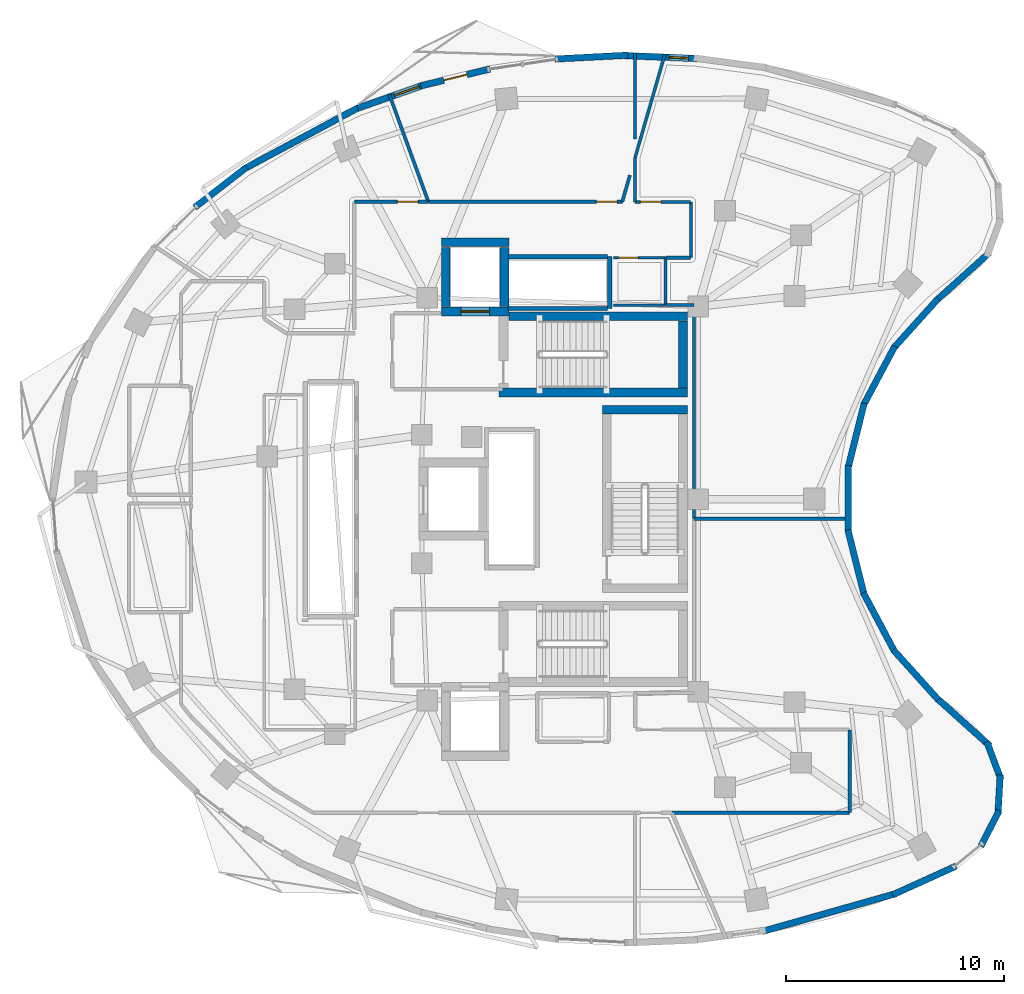
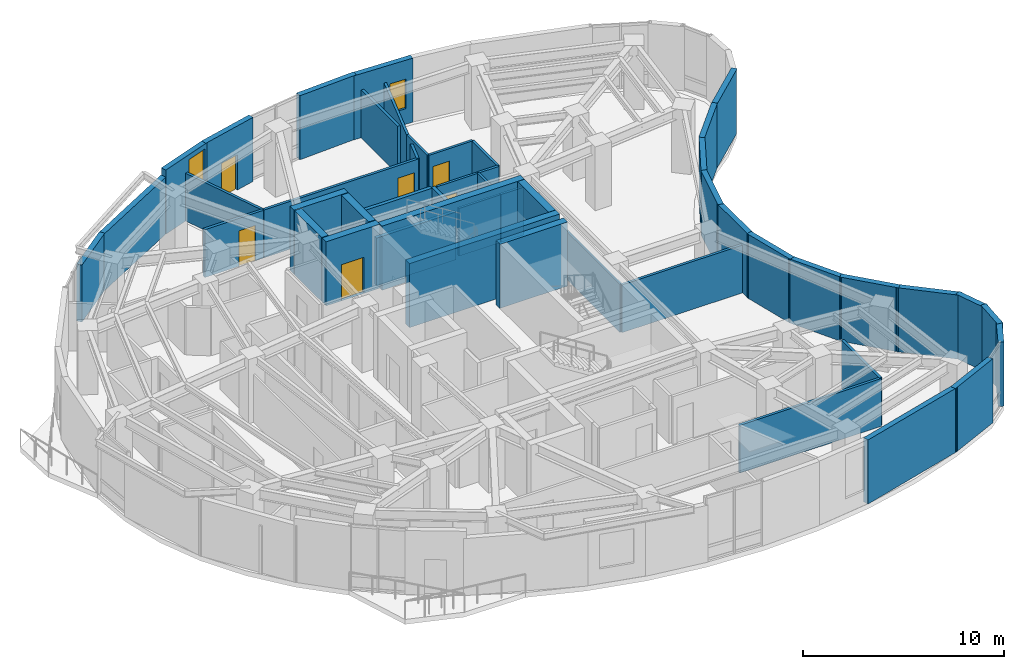
# One storey, part 9 of 13: 49 walls, 6 doors, 2 windows, 8 openings.
"""IFC4 building model written with IfcOpenShell, lengths in metres."""

import ifcopenshell
import ifcopenshell.guid

model = None  # the IFC model being written
_history = None  # IfcOwnerHistory: only IFC2X3 demands one
_inside = {}  # id of a spatial element -> (the spatial element, [elements in it])
_under = {}  # id of a project, library or spatial element -> (it, [spatial elements below it])
_declared = {}  # id of a project -> (the project, [libraries it declares])
_typed = {}  # id of a type object -> (the type object, [elements of that type])
_made_of = {}  # id of a material, layer set ... -> (it, [elements and type objects made of it])


def new_model(schema):
    """Start an empty IFC model of exactly this schema.

    Asked for "IFC4X3", IfcOpenShell would pick the latest addendum, in which some entities
    have other attributes; the version numbers below select the first issue.
    IFC2X3 requires an IfcOwnerHistory on every rooted entity: one is made here for all.
    """
    global model, _history
    if schema == "IFC4X3":
        model = ifcopenshell.file(schema_version=(4, 3, 0, 0))
    else:
        model = ifcopenshell.file(schema=schema)
    _inside.clear()
    _under.clear()
    _declared.clear()
    _typed.clear()
    _made_of.clear()
    _history = None
    if model.schema == "IFC2X3":
        org = make("IfcOrganization", Name="unknown")
        user = make(
            "IfcPersonAndOrganization",
            ThePerson=make("IfcPerson", FamilyName="unknown"),
            TheOrganization=org,
        )
        app = make(
            "IfcApplication",
            ApplicationDeveloper=org,
            Version="unknown",
            ApplicationFullName="unknown",
            ApplicationIdentifier="unknown",
        )
        _history = make(
            "IfcOwnerHistory",
            OwningUser=user,
            OwningApplication=app,
            ChangeAction="ADDED",
            CreationDate=0,
        )
    return model


def make(cls, **values):
    """One entity of the class cls with the attributes given. An attribute that is None is left unset."""
    return model.create_entity(
        cls, **{name: value for name, value in values.items() if value is not None}
    )


def rooted(cls, **values):
    """An entity with a GlobalId (a new one), such as an element, a storey or a relation."""
    return make(cls, GlobalId=ifcopenshell.guid.new(), OwnerHistory=_history, **values)


def si_unit(unit_type, name, prefix=None):
    """IfcSIUnit, for example si_unit("LENGTHUNIT", "METRE", prefix="MILLI")."""
    return make("IfcSIUnit", UnitType=unit_type, Prefix=prefix, Name=name)


def assignment(units):
    """IfcUnitAssignment: the units of a project."""
    return None if units is None else make("IfcUnitAssignment", Units=units)


def point(xyz):
    """IfcCartesianPoint."""
    return None if xyz is None else make("IfcCartesianPoint", Coordinates=xyz)


def direction(xyz):
    """IfcDirection."""
    return None if xyz is None else make("IfcDirection", DirectionRatios=xyz)


def frame(location, z_axis=None, x_axis=None):
    """IfcAxis2Placement3D, a coordinate frame: its origin and axes. An axis left out is left unset."""
    return make(
        "IfcAxis2Placement3D",
        Location=point(location),
        Axis=direction(z_axis),
        RefDirection=direction(x_axis),
    )


def frame_2d(location, x_axis=None):
    """IfcAxis2Placement2D, a coordinate frame in the plane: its origin and x axis."""
    return make(
        "IfcAxis2Placement2D", Location=point(location), RefDirection=direction(x_axis)
    )


def origin():
    """The frame at (0, 0, 0) with its axes left unset."""
    return frame((0.0, 0.0, 0.0))


def place(relative_to, where):
    """IfcLocalPlacement: puts the frame where relative to a parent placement (None: the world)."""
    return make(
        "IfcLocalPlacement", PlacementRelTo=relative_to, RelativePlacement=where
    )


def context(
    kind, dimensions, precision=None, world=None, true_north=None, identifier=None
):
    """IfcGeometricRepresentationContext, for example the 3D "Model" context."""
    return make(
        "IfcGeometricRepresentationContext",
        ContextIdentifier=identifier,
        ContextType=kind,
        CoordinateSpaceDimension=dimensions,
        Precision=precision,
        WorldCoordinateSystem=world,
        TrueNorth=true_north,
    )


def subcontext(parent, identifier, kind, view, scale=None):
    """IfcGeometricRepresentationSubContext, for example "Body" below "Model"."""
    return make(
        "IfcGeometricRepresentationSubContext",
        ContextIdentifier=identifier,
        ContextType=kind,
        ParentContext=parent,
        TargetScale=scale,
        TargetView=view,
    )


def project(units=None, contexts=None):
    """IfcProject with its units and contexts."""
    return rooted(
        "IfcProject",
        Name="project",
        RepresentationContexts=contexts,
        UnitsInContext=assignment(units),
    )


def spatial(cls, under=None, at=None, **own):
    """A site, building, storey or space (cls), placed at a placement, below another one or the project."""
    s = rooted(cls, ObjectPlacement=at, **own)
    if under is not None:
        _under.setdefault(under.id(), (under, []))[1].append(s)
    return s


def profile(cls, at=None, kind="AREA", **sizes):
    """A parametric profile (cls). Its sizes go by their IFC names, for example OverallWidth=200.0."""
    return make(cls, ProfileType=kind, Position=at, **sizes)


def rectangle(**sizes):
    """IfcRectangleProfileDef."""
    return profile("IfcRectangleProfileDef", **sizes)


def extrude(swept, where, along, depth):
    """IfcExtrudedAreaSolid: the profile swept, set in the frame where, extruded along a direction by depth."""
    return make(
        "IfcExtrudedAreaSolid",
        SweptArea=swept,
        Position=where,
        ExtrudedDirection=direction(along),
        Depth=depth,
    )


def shape(context_of_items, identifier, shape_type, items):
    """IfcShapeRepresentation: the items that make up one representation, for example the "Body"."""
    return make(
        "IfcShapeRepresentation",
        ContextOfItems=context_of_items,
        RepresentationIdentifier=identifier,
        RepresentationType=shape_type,
        Items=items,
    )


def material(Name=None, Category=None):
    """IfcMaterial."""
    return make("IfcMaterial", Name=Name, Category=Category)


def layer(
    of_material, thickness, ventilated=None, Name=None, Category=None, Priority=None
):
    """IfcMaterialLayer: one layer of a wall or slab, of a material (None: an air gap)."""
    return make(
        "IfcMaterialLayer",
        Material=of_material,
        LayerThickness=thickness,
        IsVentilated=ventilated,
        Name=Name,
        Category=Category,
        Priority=Priority,
    )


def layer_set(layers, Name=None):
    """IfcMaterialLayerSet."""
    return make("IfcMaterialLayerSet", MaterialLayers=layers, LayerSetName=Name)


def made_of(thing, what):
    """Note that an element or type object is made of a material, layer set ...; save() writes the relation."""
    if what is not None:
        _made_of.setdefault(what.id(), (what, []))[1].append(thing)
    return thing


def type_object(cls, material=None, **own):
    """A type object (cls), such as IfcWallType, which elements share."""
    return made_of(rooted(cls, **own), material)


def element(
    cls,
    number,
    at=None,
    inside=None,
    cuts=None,
    type_object=None,
    material=None,
    context=None,
    identifier="Body",
    shape_type=None,
    held_by="IfcProductDefinitionShape",
    body=None,
    shapes=None,
    **own,
):
    """One element of the class cls, such as IfcWall. Its Tag is "e" and its number.

    at: its placement. inside: the storey or other place that contains it. cuts: it is an
    opening in that element (IfcRelVoidsElement). A single representation is given by context,
    identifier, shape_type and body (its items); several are given by shapes. held_by: the class
    of the entity that holds the representations. save() writes the other relations.
    """
    e = rooted(cls, Tag="e%d" % number, ObjectPlacement=at, **own)
    if body is not None:
        shapes = [shape(context, identifier, shape_type, body)]
    if shapes is not None:
        e.Representation = make(held_by, Representations=shapes)
    if inside is not None:
        _inside.setdefault(inside.id(), (inside, []))[1].append(e)
    if cuts is not None:
        rooted(
            "IfcRelVoidsElement", RelatingBuildingElement=cuts, RelatedOpeningElement=e
        )
    if type_object is not None:
        _typed.setdefault(type_object.id(), (type_object, []))[1].append(e)
    return made_of(e, material)


def fill(opening, filler):
    """IfcRelFillsElement: the door or window that sits in an opening."""
    return rooted(
        "IfcRelFillsElement",
        RelatingOpeningElement=opening,
        RelatedBuildingElement=filler,
    )


def aggregate(whole, parts):
    """IfcRelAggregates: a whole, such as a stair, and the parts it consists of."""
    return rooted("IfcRelAggregates", RelatingObject=whole, RelatedObjects=parts)


def save(model, path):
    """Write the relations noted so far, then the file.

    IfcRelAggregates (storeys below a building ...), IfcRelContainedInSpatialStructure (elements
    in a storey), IfcRelDefinesByType, IfcRelAssociatesMaterial and IfcRelDeclares: one each for
    every whole, place, type object, material and project.
    """
    for whole, parts in _under.values():
        aggregate(whole, parts)
    for where, things in _inside.values():
        rooted(
            "IfcRelContainedInSpatialStructure",
            RelatedElements=things,
            RelatingStructure=where,
        )
    for kind, things in _typed.values():
        rooted("IfcRelDefinesByType", RelatedObjects=things, RelatingType=kind)
    for what, things in _made_of.values():
        rooted("IfcRelAssociatesMaterial", RelatedObjects=things, RelatingMaterial=what)
    for by, libraries in _declared.values():
        rooted("IfcRelDeclares", RelatingContext=by, RelatedDefinitions=libraries)
    model.write(path)


model = new_model("IFC4")

# Units and contexts
model_context = context("Model", 3, precision=1e-05, world=origin(), true_north=direction((0.0, 1.0)))
body_context = subcontext(model_context, "Body", "Model", "MODEL_VIEW")
ifc_project = project(units=[si_unit("LENGTHUNIT", "METRE"), si_unit("AREAUNIT", "SQUARE_METRE"), si_unit("VOLUMEUNIT", "CUBIC_METRE"), si_unit("PLANEANGLEUNIT", "RADIAN"), si_unit("MASSUNIT", "GRAM", prefix="KILO")], contexts=[model_context])

# Site, building, storey
site_placement = place(None, origin())
site = spatial("IfcSite", under=ifc_project, at=site_placement, CompositionType="ELEMENT")
building_placement = place(site_placement, origin())
building = spatial("IfcBuilding", under=site, at=building_placement, Name="Korentha Bioscience Tower", CompositionType="ELEMENT")
storey_placement = place(building_placement, frame((0.0, 0.0, 171.0)))
storey = spatial("IfcBuildingStorey", under=building, at=storey_placement, Name="L39", CompositionType="ELEMENT", Elevation=171.0)

# Wall, opening, door
ifc_material_1 = material(Name="Double-Stud Acoustic Gypsum", Category="gypsum")
ifc_layer_1 = layer(ifc_material_1, 0.14990234375, Name="Double-Stud Acoustic Gypsum")
ifc_layer_set_1 = layer_set([ifc_layer_1], Name="Double-Stud Acoustic Gypsum (IW-L150)")
wall_type_1 = type_object("IfcWallType", Name="Acoustic Laboratory Partition Wall 150", PredefinedType="PARTITIONING", material=ifc_layer_set_1)
wall_1_placement = place(storey_placement, frame((34.05908203125, 40.659912109375, 0.0), z_axis=(0.0, 0.0, 1.0), x_axis=(-1.0, 0.0, 0.0)))
wall_1 = element("IfcWall", 1, at=wall_1_placement, inside=storey, type_object=wall_type_1, Name="L39 Lyophilization Freeze-Drying Room 06 Entrance Wall", PredefinedType="PARTITIONING", context=body_context, shape_type="SweptSolid", body=[
    extrude(rectangle(XDim=8.908447265625, YDim=0.14990234375, at=frame_2d((4.4541015625, 0.0))), origin(), (0.0, 0.0, 1.0), 2.909912109375),
])
opening_1_placement = place(wall_1_placement, frame((0.239990234375, 0.0, 0.0)))
opening_1 = element("IfcOpeningElement", 2, at=opening_1_placement, cuts=wall_1, Name="Opening ID-10L", PredefinedType="OPENING", context=body_context, shape_type="SweptSolid", body=[
    extrude(rectangle(XDim=0.949951171875, YDim=2.14990234375, at=frame_2d((0.47509765625, 1.074951171875))), frame((0.0, 0.08984375, 0.0), z_axis=(0.0, -1.0, 0.0), x_axis=(1.0, 0.0, 0.0)), (0.0, 0.0, 1.0), 0.1796875),
])
ifc_material_2 = material(Name="Phenolic Laminate Timber Core", Category="wood")
door_type_1 = type_object("IfcDoorType", Name="Laboratory Single Leaf Door 950x2150 Left", OperationType="SINGLE_SWING_LEFT", PredefinedType="DOOR", material=ifc_material_2)
door_1_placement = place(opening_1_placement, origin())
door_1 = element("IfcDoor", 3, at=door_1_placement, inside=storey, type_object=door_type_1, Name="L39 Lyophilization Freeze-Drying Room 06 Door", OperationType="SINGLE_SWING_LEFT", OverallHeight=2.14990234375, OverallWidth=0.949951171875, PredefinedType="DOOR", context=body_context, shape_type="SweptSolid", body=[
    extrude(rectangle(XDim=0.949951171875, YDim=2.14990234375, at=frame_2d((0.47509765625, 1.074951171875))), frame((0.0, 0.02490234375, 0.0), z_axis=(0.0, -1.0, 0.0), x_axis=(1.0, 0.0, 0.0)), (0.0, 0.0, 1.0), 0.050048828125),
])
fill(opening_1, door_1)

# Walls
wall_2_placement = place(storey_placement, frame((36.348876953125, 12.590087890625, 0.0), z_axis=(0.0, 0.0, 1.0), x_axis=(1.0, 0.0, 0.0)))
element("IfcWall", 4, at=wall_2_placement, inside=storey, type_object=wall_type_1, Name="L39 Interior Partition 040", PredefinedType="PARTITIONING", context=body_context, shape_type="SweptSolid", body=[
    extrude(rectangle(XDim=8.151123046875, YDim=0.14990234375, at=frame_2d((4.07568359375, 0.0))), origin(), (0.0, 0.0, 1.0), 2.909912109375),
])
wall_3_placement = place(storey_placement, frame((44.510009765625, 12.60009765625, 0.0), z_axis=(0.0, 0.0, 1.0), x_axis=(0.0, 1.0, 0.0)))
element("IfcWall", 5, at=wall_3_placement, inside=storey, type_object=wall_type_1, Name="L39 Interior Partition 041", PredefinedType="PARTITIONING", context=body_context, shape_type="SweptSolid", body=[
    extrude(rectangle(XDim=3.7998046875, YDim=0.14990234375, at=frame_2d((1.89990234375, 0.0))), origin(), (0.0, 0.0, 1.0), 2.909912109375),
])
wall_4_placement = place(storey_placement, frame((37.360107421875, 26.097900390625, 0.0), z_axis=(0.0, 0.0, 1.0), x_axis=(1.0, 0.0, 0.0)))
element("IfcWall", 6, at=wall_4_placement, inside=storey, type_object=wall_type_1, Name="L39 Interior Partition 045", PredefinedType="PARTITIONING", context=body_context, shape_type="SweptSolid", body=[
    extrude(rectangle(XDim=7.17333984375, YDim=0.14990234375, at=frame_2d((3.586669921875, 0.0))), origin(), (0.0, 0.0, 1.0), 2.909912109375),
])
wall_5_placement = place(storey_placement, frame((34.64794921875, 47.494873046875, 0.0), z_axis=(0.0, 0.0, 1.0), x_axis=(0.0, -1.0, 0.0)))
element("IfcWall", 7, at=wall_5_placement, inside=storey, type_object=wall_type_1, Name="L39 Interior Partition 052", PredefinedType="PARTITIONING", context=body_context, shape_type="SweptSolid", body=[
    extrude(rectangle(XDim=3.942138671875, YDim=0.14990234375, at=frame_2d((1.97119140625, 0.0))), origin(), (0.0, 0.0, 1.0), 2.909912109375),
])
wall_6_placement = place(storey_placement, frame((34.412109375, 41.88330078125, 0.0), z_axis=(0.0, 0.0, 1.0), x_axis=(-0.277252558392, -0.960797074759, 0.0)))
element("IfcWall", 8, at=wall_6_placement, inside=storey, type_object=wall_type_1, Name="L39 Interior Partition 053", PredefinedType="PARTITIONING", context=body_context, shape_type="SweptSolid", body=[
    extrude(rectangle(XDim=1.273193359375, YDim=0.14990234375, at=frame_2d((0.63671875, 0.0))), origin(), (0.0, 0.0, 1.0), 2.909912109375),
])
wall_7_placement = place(storey_placement, frame((25.150634765625, 40.659912109375, 0.0), z_axis=(0.0, 0.0, 1.0), x_axis=(-0.341995928267, 0.939701433993, 0.0)))
element("IfcWall", 9, at=wall_7_placement, inside=storey, type_object=wall_type_1, Name="L39 Interior Partition 054", PredefinedType="PARTITIONING", context=body_context, shape_type="SweptSolid", body=[
    extrude(rectangle(XDim=5.271240234375, YDim=0.14990234375, at=frame_2d((2.6357421875, 0.0))), origin(), (0.0, 0.0, 1.0), 2.909912109375),
])

# Wall, opening, door
ifc_material_3 = material(Name="Insulated Aluminium Honeycomb Panel", Category="aluminium")
ifc_layer_2 = layer(ifc_material_3, 0.139892578125, Name="Insulated Aluminium Honeycomb Panel")
ifc_layer_set_2 = layer_set([ifc_layer_2], Name="Insulated Aluminium Honeycomb Panel (IW-F60)")
wall_type_2 = type_object("IfcWallType", Name="Cleanroom Flush Metal Panel Partition 140", PredefinedType="PARTITIONING", material=ifc_layer_set_2)
wall_8_placement = place(storey_placement, frame((37.199951171875, 40.659912109375, 0.0), z_axis=(0.0, 0.0, 1.0), x_axis=(-1.0, 0.0, 0.0)))
wall_8 = element("IfcWall", 10, at=wall_8_placement, inside=storey, type_object=wall_type_2, Name="L39 Vaccine Formulation Cleanroom 05 Entrance Wall", PredefinedType="PARTITIONING", context=body_context, shape_type="SweptSolid", body=[
    extrude(rectangle(XDim=2.5478515625, YDim=0.139892578125, at=frame_2d((1.27392578125, 0.0))), origin(), (0.0, 0.0, 1.0), 2.909912109375),
])
opening_2_placement = place(wall_8_placement, frame((1.35791015625, 0.0, 0.0)))
opening_2 = element("IfcOpeningElement", 11, at=opening_2_placement, cuts=wall_8, Name="Opening ID-10R", PredefinedType="OPENING", context=body_context, shape_type="SweptSolid", body=[
    extrude(rectangle(XDim=0.949951171875, YDim=2.14990234375, at=frame_2d((0.47509765625, 1.074951171875))), frame((0.0, 0.0849609375, 0.0), z_axis=(0.0, -1.0, 0.0), x_axis=(1.0, 0.0, 0.0)), (0.0, 0.0, 1.0), 0.169677734375),
])
door_type_2 = type_object("IfcDoorType", Name="Laboratory Single Leaf Door 950x2150 Right", OperationType="SINGLE_SWING_RIGHT", PredefinedType="DOOR", material=ifc_material_2)
door_2_placement = place(opening_2_placement, origin())
door_2 = element("IfcDoor", 12, at=door_2_placement, inside=storey, type_object=door_type_2, Name="L39 Vaccine Formulation Cleanroom 05 Door", OperationType="SINGLE_SWING_RIGHT", OverallHeight=2.14990234375, OverallWidth=0.949951171875, PredefinedType="DOOR", context=body_context, shape_type="SweptSolid", body=[
    extrude(rectangle(XDim=0.949951171875, YDim=2.14990234375, at=frame_2d((0.47509765625, 1.074951171875))), frame((0.0, 0.02490234375, 0.0), z_axis=(0.0, -1.0, 0.0), x_axis=(1.0, 0.0, 0.0)), (0.0, 0.0, 1.0), 0.050048828125),
])
fill(opening_2, door_2)

# Walls
wall_9_placement = place(storey_placement, frame((34.652099609375, 42.700927734375, 0.0), z_axis=(0.0, 0.0, 1.0), x_axis=(0.277202021351, 0.960811656548, 0.0)))
element("IfcWall", 13, at=wall_9_placement, inside=storey, type_object=wall_type_2, Name="L39 Interior Partition 046", PredefinedType="PARTITIONING", context=body_context, shape_type="SweptSolid", body=[
    extrude(rectangle(XDim=4.924072265625, YDim=0.139892578125, at=frame_2d((2.4619140625, 0.0))), origin(), (0.0, 0.0, 1.0), 2.909912109375),
])
wall_10_placement = place(storey_placement, frame((37.360107421875, 26.10791015625, 0.0), z_axis=(0.0, 0.0, 1.0), x_axis=(0.0, 1.0, 0.0)))
element("IfcWall", 14, at=wall_10_placement, inside=storey, type_object=wall_type_2, Name="L39 Interior Partition 047", PredefinedType="PARTITIONING", context=body_context, shape_type="SweptSolid", body=[
    extrude(rectangle(XDim=9.7919921875, YDim=0.139892578125, at=frame_2d((4.89599609375, 0.0))), origin(), (0.0, 0.0, 1.0), 2.909912109375),
])
wall_11_placement = place(storey_placement, frame((37.35009765625, 35.909912109375, 0.0), z_axis=(0.0, 0.0, 1.0), x_axis=(-1.0, 0.0, 0.0)))
element("IfcWall", 15, at=wall_11_placement, inside=storey, type_object=wall_type_2, Name="L39 Interior Partition 048", PredefinedType="PARTITIONING", context=body_context, shape_type="SweptSolid", body=[
    extrude(rectangle(XDim=1.2900390625, YDim=0.139892578125, at=frame_2d((0.64501953125, 0.0))), origin(), (0.0, 0.0, 1.0), 2.909912109375),
])
wall_12_placement = place(storey_placement, frame((36.06005859375, 38.090087890625, 0.0), z_axis=(0.0, 0.0, 1.0), x_axis=(1.0, 0.0, 0.0)))
element("IfcWall", 16, at=wall_12_placement, inside=storey, type_object=wall_type_2, Name="L39 Interior Partition 049", PredefinedType="PARTITIONING", context=body_context, shape_type="SweptSolid", body=[
    extrude(rectangle(XDim=1.139892578125, YDim=0.139892578125, at=frame_2d((0.56982421875, 0.0))), origin(), (0.0, 0.0, 1.0), 2.909912109375),
])
wall_13_placement = place(storey_placement, frame((37.2099609375, 38.10009765625, 0.0), z_axis=(0.0, 0.0, 1.0), x_axis=(0.0, 1.0, 0.0)))
element("IfcWall", 17, at=wall_13_placement, inside=storey, type_object=wall_type_2, Name="L39 Interior Partition 050", PredefinedType="PARTITIONING", context=body_context, shape_type="SweptSolid", body=[
    extrude(rectangle(XDim=2.5498046875, YDim=0.139892578125, at=frame_2d((1.27490234375, 0.0))), origin(), (0.0, 0.0, 1.0), 2.909912109375),
])
wall_14_placement = place(storey_placement, frame((34.652099609375, 40.659912109375, 0.0), z_axis=(0.0, 0.0, 1.0), x_axis=(0.0, 1.0, 0.0)))
element("IfcWall", 18, at=wall_14_placement, inside=storey, type_object=wall_type_2, Name="L39 Interior Partition 051", PredefinedType="PARTITIONING", context=body_context, shape_type="SweptSolid", body=[
    extrude(rectangle(XDim=2.040771484375, YDim=0.139892578125, at=frame_2d((1.0205078125, 0.0))), origin(), (0.0, 0.0, 1.0), 2.909912109375),
])

# Wall, opening, door
ifc_material_4 = material(Name="Gypsum-Clad Steel Stud", Category="steel")
ifc_layer_3 = layer(ifc_material_4, 0.159912109375, Name="Gypsum-Clad Steel Stud")
ifc_layer_set_3 = layer_set([ifc_layer_3], Name="Gypsum-Clad Steel Stud (IW-C160)")
wall_type_3 = type_object("IfcWallType", Name="Fire-Rated Corridor Partition Wall 160", PredefinedType="PARTITIONING", material=ifc_layer_set_3)
wall_15_placement = place(storey_placement, frame((25.14013671875, 40.659912109375, 0.0), z_axis=(0.0, 0.0, 1.0), x_axis=(-1.0, 0.0, 0.0)))
wall_15 = element("IfcWall", 19, at=wall_15_placement, inside=storey, type_object=wall_type_3, Name="L39 Cold-Chain Stability Chamber 07 Entrance Wall", PredefinedType="PARTITIONING", context=body_context, shape_type="SweptSolid", body=[
    extrude(rectangle(XDim=3.39013671875, YDim=0.159912109375, at=frame_2d((1.695068359375, 0.0))), origin(), (0.0, 0.0, 1.0), 2.909912109375),
])
opening_3_placement = place(wall_15_placement, frame((0.460693359375, 0.0, 0.0)))
opening_3 = element("IfcOpeningElement", 20, at=opening_3_placement, cuts=wall_15, Name="Opening ID-10R", PredefinedType="OPENING", context=body_context, shape_type="SweptSolid", body=[
    extrude(rectangle(XDim=0.949951171875, YDim=2.14990234375, at=frame_2d((0.47509765625, 1.074951171875))), frame((0.0, 0.0947265625, 0.0), z_axis=(0.0, -1.0, 0.0), x_axis=(1.0, 0.0, 0.0)), (0.0, 0.0, 1.0), 0.189697265625),
])
door_3_placement = place(opening_3_placement, origin())
door_3 = element("IfcDoor", 21, at=door_3_placement, inside=storey, type_object=door_type_2, Name="L39 Cold-Chain Stability Chamber 07 Door", OperationType="SINGLE_SWING_RIGHT", OverallHeight=2.14990234375, OverallWidth=0.949951171875, PredefinedType="DOOR", context=body_context, shape_type="SweptSolid", body=[
    extrude(rectangle(XDim=0.949951171875, YDim=2.14990234375, at=frame_2d((0.47509765625, 1.074951171875))), frame((0.0, 0.02490234375, 0.0), z_axis=(0.0, -1.0, 0.0), x_axis=(1.0, 0.0, 0.0)), (0.0, 0.0, 1.0), 0.050048828125),
])
fill(opening_3, door_3)

# Wall, opening, window
ifc_material_5 = material(Name="Honed Limestone Precast Concrete C40", Category="masonry")
ifc_layer_4 = layer(ifc_material_5, 0.300048828125, Name="Honed Limestone Precast Concrete C40")
ifc_layer_set_4 = layer_set([ifc_layer_4], Name="Honed Limestone Precast Concrete C40 (EW-ST300)")
wall_type_4 = type_object("IfcWallType", Name="Honed Limestone Cavity Spandrel Wall 300", PredefinedType="STANDARD", material=ifc_layer_set_4)
wall_16_placement = place(storey_placement, frame((37.499755859375, 47.239990234375, 0.0), z_axis=(0.0, 0.0, 1.0), x_axis=(-0.999191674443, 0.040199474165, 0.0)))
wall_16 = element("IfcWall", 22, at=wall_16_placement, inside=storey, type_object=wall_type_4, Name="L39 Honed Limestone Spandrel Wall 05", PredefinedType="STANDARD", context=body_context, shape_type="SweptSolid", body=[
    extrude(rectangle(XDim=3.328125, YDim=0.300048828125, at=frame_2d((1.6640625, 0.0))), origin(), (0.0, 0.0, 1.0), 3.89990234375),
])
opening_4_placement = place(wall_16_placement, frame((0.39501953125, 0.0, 0.949951171875)))
opening_4 = element("IfcOpeningElement", 23, at=opening_4_placement, cuts=wall_16, Name="Opening WN-05", PredefinedType="OPENING", context=body_context, shape_type="SweptSolid", body=[
    extrude(rectangle(XDim=0.89990234375, YDim=1.800048828125, at=frame_2d((0.449951171875, 0.89990234375))), frame((0.0, 0.1650390625, 0.0), z_axis=(0.0, -1.0, 0.0), x_axis=(1.0, 0.0, 0.0)), (0.0, 0.0, 1.0), 0.329833984375),
])
ifc_material_6 = material(Name="Thermally Broken Aluminium Triple Glazing", Category="aluminium")
window_type_1 = type_object("IfcWindowType", Name="Narrow Bioscience Pier Window 900x1800", PartitioningType="SINGLE_PANEL", PredefinedType="WINDOW", material=ifc_material_6)
window_1_placement = place(opening_4_placement, origin())
window_1 = element("IfcWindow", 24, at=window_1_placement, inside=storey, type_object=window_type_1, Name="L39 Facade Window 05", OverallHeight=1.800048828125, OverallWidth=0.89990234375, PartitioningType="SINGLE_PANEL", PredefinedType="WINDOW", context=body_context, shape_type="SweptSolid", body=[
    extrude(rectangle(XDim=0.89990234375, YDim=1.800048828125, at=frame_2d((0.449951171875, 0.89990234375))), frame((0.0, 0.030029296875, 0.0), z_axis=(0.0, -1.0, 0.0), x_axis=(1.0, 0.0, 0.0)), (0.0, 0.0, 1.0), 0.06005859375),
])
fill(opening_4, window_1)

# Wall, opening, door
wall_17_placement = place(storey_placement, frame((27.981689453125, 46.76171875, 0.0), z_axis=(0.0, 0.0, 1.0), x_axis=(-0.971312804689, -0.237805457142, 0.0)))
wall_17 = element("IfcWall", 25, at=wall_17_placement, inside=storey, type_object=wall_type_4, Name="L39 Balcony Threshold Wall 01", PredefinedType="STANDARD", context=body_context, shape_type="SweptSolid", body=[
    extrude(rectangle(XDim=3.268798828125, YDim=0.300048828125, at=frame_2d((1.63427734375, 0.0))), origin(), (0.0, 0.0, 1.0), 3.89990234375),
])
opening_5_placement = place(wall_17_placement, frame((1.08447265625, 0.0, 0.0)))
opening_5 = element("IfcOpeningElement", 26, at=opening_5_placement, cuts=wall_17, Name="Opening BD-11L", PredefinedType="OPENING", context=body_context, shape_type="SweptSolid", body=[
    extrude(rectangle(XDim=1.10009765625, YDim=2.14990234375, at=frame_2d((0.550048828125, 1.074951171875))), frame((0.0, 0.1650390625, 0.0), z_axis=(0.0, -1.0, 0.0), x_axis=(1.0, 0.0, 0.0)), (0.0, 0.0, 1.0), 0.329833984375),
])
ifc_material_7 = material(Name="Thermally Broken Glazed Aluminium", Category="aluminium")
door_type_3 = type_object("IfcDoorType", Name="Balcony Terrace Glazed Door 1100x2150 Left", OperationType="SINGLE_SWING_LEFT", PredefinedType="DOOR", material=ifc_material_7)
door_4_placement = place(opening_5_placement, origin())
door_4 = element("IfcDoor", 27, at=door_4_placement, inside=storey, type_object=door_type_3, Name="L39 Balcony Access Door 01", OperationType="SINGLE_SWING_LEFT", OverallHeight=2.14990234375, OverallWidth=1.10009765625, PredefinedType="DOOR", context=body_context, shape_type="SweptSolid", body=[
    extrude(rectangle(XDim=1.10009765625, YDim=2.14990234375, at=frame_2d((0.550048828125, 1.074951171875))), frame((0.0, 0.02490234375, 0.0), z_axis=(0.0, -1.0, 0.0), x_axis=(1.0, 0.0, 0.0)), (0.0, 0.0, 1.0), 0.050048828125),
])
fill(opening_5, door_4)

# Wall, opening, window
wall_18_placement = place(storey_placement, frame((24.9365234375, 46.02294921875, 0.0), z_axis=(0.0, 0.0, 1.0), x_axis=(-0.943495444321, -0.331385495377, 0.0)))
wall_18 = element("IfcWall", 28, at=wall_18_placement, inside=storey, type_object=wall_type_4, Name="L39 Honed Limestone Spandrel Wall 09", PredefinedType="STANDARD", context=body_context, shape_type="SweptSolid", body=[
    extrude(rectangle(XDim=3.21435546875, YDim=0.300048828125, at=frame_2d((1.607177734375, 0.0))), origin(), (0.0, 0.0, 1.0), 3.89990234375),
])
opening_6_placement = place(wall_18_placement, frame((0.2255859375, 0.0, 0.89990234375)))
opening_6 = element("IfcOpeningElement", 29, at=opening_6_placement, cuts=wall_18, Name="Opening WN-03", PredefinedType="OPENING", context=body_context, shape_type="SweptSolid", body=[
    extrude(rectangle(XDim=1.199951171875, YDim=2.699951171875, at=frame_2d((0.60009765625, 1.35009765625))), frame((0.0, 0.1650390625, 0.0), z_axis=(0.0, -1.0, 0.0), x_axis=(1.0, 0.0, 0.0)), (0.0, 0.0, 1.0), 0.329833984375),
])
window_type_2 = type_object("IfcWindowType", Name="Theatre Foyer Tall Ribbon Window 1200x2700", PartitioningType="SINGLE_PANEL", PredefinedType="WINDOW", material=ifc_material_6)
window_2_placement = place(opening_6_placement, origin())
window_2 = element("IfcWindow", 30, at=window_2_placement, inside=storey, type_object=window_type_2, Name="L39 Facade Window 09", OverallHeight=2.699951171875, OverallWidth=1.199951171875, PartitioningType="SINGLE_PANEL", PredefinedType="WINDOW", context=body_context, shape_type="SweptSolid", body=[
    extrude(rectangle(XDim=1.199951171875, YDim=2.699951171875, at=frame_2d((0.60009765625, 1.35009765625))), frame((0.0, 0.030029296875, 0.0), z_axis=(0.0, -1.0, 0.0), x_axis=(1.0, 0.0, 0.0)), (0.0, 0.0, 1.0), 0.06005859375),
])
fill(opening_6, window_2)

# Walls
wall_19_placement = place(storey_placement, frame((34.327880859375, 47.395751953125, 0.0), z_axis=(0.0, 0.0, 1.0), x_axis=(-0.998639777298, -0.052140149581, 0.0)))
element("IfcWall", 31, at=wall_19_placement, inside=storey, type_object=wall_type_4, Name="L39 Limestone Perimeter Closure Wall 06", PredefinedType="STANDARD", context=body_context, shape_type="SweptSolid", body=[
    extrude(rectangle(XDim=3.36669921875, YDim=0.300048828125, at=frame_2d((1.683349609375, 0.0))), origin(), (0.0, 0.0, 1.0), 3.89990234375),
])
wall_20_placement = place(storey_placement, frame((22.044189453125, 45.043212890625, 0.0), z_axis=(0.0, 0.0, 1.0), x_axis=(-0.881364369565, -0.472437136624, 0.0)))
element("IfcWall", 32, at=wall_20_placement, inside=storey, type_object=wall_type_4, Name="L39 Limestone Perimeter Closure Wall 10", PredefinedType="STANDARD", context=body_context, shape_type="SweptSolid", body=[
    extrude(rectangle(XDim=6.123779296875, YDim=0.300048828125, at=frame_2d((3.06201171875, 0.0))), origin(), (0.0, 0.0, 1.0), 3.469970703125),
])
wall_21_placement = place(storey_placement, frame((16.80029296875, 42.249755859375, 0.0), z_axis=(0.0, 0.0, 1.0), x_axis=(-0.790530517055, -0.612422649488, 0.0)))
element("IfcWall", 33, at=wall_21_placement, inside=storey, type_object=wall_type_4, Name="L39 Limestone Perimeter Closure Wall 12", PredefinedType="STANDARD", context=body_context, shape_type="SweptSolid", body=[
    extrude(rectangle(XDim=3.019775390625, YDim=0.300048828125, at=frame_2d((1.509765625, 0.0))), origin(), (0.0, 0.0, 1.0), 3.469970703125),
])
wall_22_placement = place(storey_placement, frame((40.4931640625, 7.13427734375, 0.0), z_axis=(0.0, 0.0, 1.0), x_axis=(0.962163849422, 0.272471515694, 0.0)))
element("IfcWall", 34, at=wall_22_placement, inside=storey, type_object=wall_type_4, Name="L39 Limestone Perimeter Closure Wall 34", PredefinedType="STANDARD", context=body_context, shape_type="SweptSolid", body=[
    extrude(rectangle(XDim=6.4091796875, YDim=0.300048828125, at=frame_2d((3.20458984375, 0.0))), origin(), (0.0, 0.0, 1.0), 3.89990234375),
])
wall_23_placement = place(storey_placement, frame((46.490478515625, 8.818359375, 0.0), z_axis=(0.0, 0.0, 1.0), x_axis=(0.910633193525, 0.413215666268, 0.0)))
element("IfcWall", 35, at=wall_23_placement, inside=storey, type_object=wall_type_4, Name="L39 Limestone Perimeter Closure Wall 36", PredefinedType="STANDARD", context=body_context, shape_type="SweptSolid", body=[
    extrude(rectangle(XDim=3.1953125, YDim=0.300048828125, at=frame_2d((1.59765625, 0.0))), origin(), (0.0, 0.0, 1.0), 3.89990234375),
])
for number, where, z_axis, x_axis, name in (
    (36, (50.533935546875, 11.041259765625, 0.0), (0.0, 0.0, 1.0), (0.454214122486, 0.890892547356, 0.0), "L39 Limestone Perimeter Closure Wall 38"),
    (37, (51.319091796875, 12.484375, 0.0), (0.0, 0.0, 1.0), (0.057485341891, 0.998346350455, 0.0), "L39 Limestone Perimeter Closure Wall 39"),
    (38, (51.45751953125, 14.121337890625, 0.0), (0.0, 0.0, 1.0), (-0.348984166898, 0.937128620443, 0.0), "L39 Limestone Perimeter Closure Wall 40"),
):
    element("IfcWall", number, at=place(storey_placement, frame(where, z_axis=z_axis, x_axis=x_axis)), inside=storey, type_object=wall_type_4, Name=name, PredefinedType="STANDARD", context=body_context, shape_type="SweptSolid", body=[
        extrude(rectangle(XDim=1.851806640625, YDim=0.300048828125, at=frame_2d((0.92578125, 0.0))), origin(), (0.0, 0.0, 1.0), 3.89990234375),
    ])
wall_24_placement = place(storey_placement, frame((50.936279296875, 15.6728515625, 0.0), z_axis=(0.0, 0.0, 1.0), x_axis=(-0.743341827472, 0.668911748687, 0.0)))
element("IfcWall", 39, at=wall_24_placement, inside=storey, type_object=wall_type_4, Name="L39 Limestone Perimeter Closure Wall 41", PredefinedType="STANDARD", context=body_context, shape_type="SweptSolid", body=[
    extrude(rectangle(XDim=3.3095703125, YDim=0.300048828125, at=frame_2d((1.65478515625, 0.0))), origin(), (0.0, 0.0, 1.0), 3.89990234375),
])
for number, where, z_axis, x_axis, name in (
    (40, (48.57861328125, 17.7841796875, 0.0), (0.0, 0.0, 1.0), (-0.669165704933, 0.743113221079, 0.0), "L39 Limestone Perimeter Closure Wall 43"),
    (41, (46.58447265625, 19.975830078125, 0.0), (0.0, 0.0, 1.0), (-0.469471310295, 0.882947727111, 0.0), "L39 Limestone Perimeter Closure Wall 45"),
    (42, (45.179931640625, 22.585205078125, 0.0), (0.0, 0.0, 1.0), (-0.241940068914, 0.970291194979, 0.0), "L39 Limestone Perimeter Closure Wall 47"),
    (43, (44.448486328125, 25.45654296875, 0.0), (0.0, 0.0, 1.0), (0.0, 1.0, 0.0), "L39 Limestone Perimeter Closure Wall 49"),
    (44, (44.43310546875, 28.419677734375, 0.0), (0.0, 0.0, 1.0), (0.241940068914, 0.970291194979, 0.0), "L39 Limestone Perimeter Closure Wall 51"),
    (45, (45.13525390625, 31.298583984375, 0.0), (0.0, 0.0, 1.0), (0.469471310295, 0.882947727111, 0.0), "L39 Limestone Perimeter Closure Wall 53"),
    (46, (46.512939453125, 33.921875, 0.0), (0.0, 0.0, 1.0), (0.669165704933, 0.743113221079, 0.0), "L39 Limestone Perimeter Closure Wall 55"),
):
    element("IfcWall", number, at=place(storey_placement, frame(where, z_axis=z_axis, x_axis=x_axis)), inside=storey, type_object=wall_type_4, Name=name, PredefinedType="STANDARD", context=body_context, shape_type="SweptSolid", body=[
        extrude(rectangle(XDim=3.0869140625, YDim=0.300048828125, at=frame_2d((1.54345703125, 0.0))), origin(), (0.0, 0.0, 1.0), 3.89990234375),
    ])
wall_25_placement = place(storey_placement, frame((48.47607421875, 36.11328125, 0.0), z_axis=(0.0, 0.0, 1.0), x_axis=(0.743341827472, 0.668911748687, 0.0)))
element("IfcWall", 47, at=wall_25_placement, inside=storey, type_object=wall_type_4, Name="L39 Limestone Perimeter Closure Wall 57", PredefinedType="STANDARD", context=body_context, shape_type="SweptSolid", body=[
    extrude(rectangle(XDim=3.3095703125, YDim=0.300048828125, at=frame_2d((1.65478515625, 0.0))), origin(), (0.0, 0.0, 1.0), 3.89990234375),
])
ifc_material_8 = material(Name="Autoclaved Aerated Concrete Block C25", Category="concrete")
ifc_layer_5 = layer(ifc_material_8, 0.199951171875, Name="Autoclaved Aerated Concrete Block C25")
ifc_layer_set_5 = layer_set([ifc_layer_5], Name="Autoclaved Aerated Concrete Block C25 (IW-S200)")
wall_type_5 = type_object("IfcWallType", Name="Lift and Riser Shaft Enclosure Wall 200", PredefinedType="PARTITIONING", material=ifc_layer_set_5)
wall_26_placement = place(storey_placement, frame((33.489990234375, 35.760009765625, 0.0), z_axis=(0.0, 0.0, 1.0), x_axis=(0.0, 1.0, 0.0)))
element("IfcWall", 48, at=wall_26_placement, inside=storey, type_object=wall_type_5, Name="L39 Lift Bank OBS Shaft Wall +X", PredefinedType="PARTITIONING", context=body_context, shape_type="SweptSolid", body=[
    extrude(rectangle(XDim=2.3798828125, YDim=0.199951171875, at=frame_2d((1.18994140625, 0.0))), origin(), (0.0, 0.0, 1.0), 2.909912109375),
])
for number, where, z_axis, x_axis, name in (
    (49, (28.800048828125, 35.760009765625, 0.0), (0.0, 0.0, 1.0), (1.0, 0.0, 0.0), "L39 Lift Bank OBS Shaft Wall -Y"),
    (50, (28.800048828125, 38.139892578125, 0.0), (0.0, 0.0, 1.0), (1.0, 0.0, 0.0), "L39 Lift Bank OBS Shaft Wall +Y"),
):
    element("IfcWall", number, at=place(storey_placement, frame(where, z_axis=z_axis, x_axis=x_axis)), inside=storey, type_object=wall_type_5, Name=name, PredefinedType="PARTITIONING", context=body_context, shape_type="SweptSolid", body=[
        extrude(rectangle(XDim=4.570068359375, YDim=0.199951171875, at=frame_2d((2.28515625, 0.0))), origin(), (0.0, 0.0, 1.0), 2.909912109375),
    ])
ifc_material_9 = material(Name="Concrete C65", Category="concrete")
ifc_layer_6 = layer(ifc_material_9, 0.39990234375, Name="Concrete C65")
ifc_layer_set_6 = layer_set([ifc_layer_6], Name="Concrete C65 (CW-C65)")
wall_type_6 = type_object("IfcWallType", Name="Mid-Rise Core Shear Wall 400", PredefinedType="SHEAR", material=ifc_layer_set_6)
wall_27_placement = place(storey_placement, frame((28.85205078125, 35.39990234375, 0.0), z_axis=(0.0, 0.0, 1.0), x_axis=(1.0, 0.0, 0.0)))
element("IfcWall", 51, at=wall_27_placement, inside=storey, type_object=wall_type_6, Name="L39 Core Shear Wall ST1-N", PredefinedType="SHEAR", context=body_context, shape_type="SweptSolid", body=[
    extrude(rectangle(XDim=8.197998046875, YDim=0.39990234375, at=frame_2d((4.09912109375, 0.0))), origin(), (0.0, 0.0, 1.0), 3.89990234375),
])
wall_28_placement = place(storey_placement, frame((28.39990234375, 31.89990234375, 0.0), z_axis=(0.0, 0.0, 1.0), x_axis=(1.0, 0.0, 0.0)))
element("IfcWall", 52, at=wall_28_placement, inside=storey, type_object=wall_type_6, Name="L39 Core Shear Wall ST1-S", PredefinedType="SHEAR", context=body_context, shape_type="SweptSolid", body=[
    extrude(rectangle(XDim=8.650146484375, YDim=0.39990234375, at=frame_2d((4.3251953125, 0.0))), origin(), (0.0, 0.0, 1.0), 3.89990234375),
])
wall_29_placement = place(storey_placement, frame((36.85009765625, 32.110107421875, 0.0), z_axis=(0.0, 0.0, 1.0), x_axis=(0.0, 1.0, 0.0)))
element("IfcWall", 53, at=wall_29_placement, inside=storey, type_object=wall_type_6, Name="L39 Core Shear Wall ST1-E", PredefinedType="SHEAR", context=body_context, shape_type="SweptSolid", body=[
    extrude(rectangle(XDim=3.079833984375, YDim=0.39990234375, at=frame_2d((1.5400390625, 0.0))), origin(), (0.0, 0.0, 1.0), 3.89990234375),
])
wall_30_placement = place(storey_placement, frame((33.14990234375, 31.10009765625, 0.0), z_axis=(0.0, 0.0, 1.0), x_axis=(1.0, 0.0, 0.0)))
element("IfcWall", 54, at=wall_30_placement, inside=storey, type_object=wall_type_6, Name="L39 Core Shear Wall ST3-N", PredefinedType="SHEAR", context=body_context, shape_type="SweptSolid", body=[
    extrude(rectangle(XDim=3.900146484375, YDim=0.39990234375, at=frame_2d((1.9501953125, 0.0))), origin(), (0.0, 0.0, 1.0), 3.89990234375),
])
wall_31_placement = place(storey_placement, frame((25.75, 38.800048828125, 0.0), z_axis=(0.0, 0.0, 1.0), x_axis=(1.0, 0.0, 0.0)))
element("IfcWall", 55, at=wall_31_placement, inside=storey, type_object=wall_type_6, Name="L39 Core Shear Wall FFL2-N", PredefinedType="SHEAR", context=body_context, shape_type="SweptSolid", body=[
    extrude(rectangle(XDim=3.10009765625, YDim=0.39990234375, at=frame_2d((1.550048828125, 0.0))), origin(), (0.0, 0.0, 1.0), 3.89990234375),
])

# Wall, opening, door
wall_32_placement = place(storey_placement, frame((25.75, 35.6201171875, 0.0), z_axis=(0.0, 0.0, 1.0), x_axis=(1.0, 0.0, 0.0)))
wall_32 = element("IfcWall", 56, at=wall_32_placement, inside=storey, type_object=wall_type_6, Name="L39 Core Shear Wall FFL2-S", PredefinedType="SHEAR", context=body_context, shape_type="SweptSolid", body=[
    extrude(rectangle(XDim=3.10009765625, YDim=0.39990234375, at=frame_2d((1.550048828125, 0.0))), origin(), (0.0, 0.0, 1.0), 3.89990234375),
])
opening_7_placement = place(wall_32_placement, frame((0.89990234375, 0.0, 0.0)))
opening_7 = element("IfcOpeningElement", 57, at=opening_7_placement, cuts=wall_32, Name="Opening LD-13", PredefinedType="OPENING", context=body_context, shape_type="SweptSolid", body=[
    extrude(rectangle(XDim=1.300048828125, YDim=2.199951171875, at=frame_2d((0.64990234375, 1.10009765625))), frame((0.0, 0.21484375, 0.0), z_axis=(0.0, -1.0, 0.0), x_axis=(1.0, 0.0, 0.0)), (0.0, 0.0, 1.0), 0.4296875),
])
ifc_material_10 = material(Name="Brushed Stainless Steel 316", Category="steel")
door_type_4 = type_object("IfcDoorType", Name="Service & Firefighting Lift Landing Door 1300x2300", OperationType="DOUBLE_DOOR_SLIDING", PredefinedType="DOOR", material=ifc_material_10)
door_5_placement = place(opening_7_placement, origin())
door_5 = element("IfcDoor", 58, at=door_5_placement, inside=storey, type_object=door_type_4, Name="L39 FFL-2 Sliding Lift Landing Door", OperationType="DOUBLE_DOOR_SLIDING", OverallHeight=2.199951171875, OverallWidth=1.300048828125, PredefinedType="DOOR", context=body_context, shape_type="SweptSolid", body=[
    extrude(rectangle(XDim=1.300048828125, YDim=2.199951171875, at=frame_2d((0.64990234375, 1.10009765625))), frame((0.0, 0.02490234375, 0.0), z_axis=(0.0, -1.0, 0.0), x_axis=(1.0, 0.0, 0.0)), (0.0, 0.0, 1.0), 0.050048828125),
])
fill(opening_7, door_5)

# Walls
for number, where, z_axis, x_axis, name in (
    (59, (25.949951171875, 35.860107421875, 0.0), (0.0, 0.0, 1.0), (0.0, 1.0, 0.0), "L39 Core Shear Wall FFL2-W"),
    (60, (28.64990234375, 35.860107421875, 0.0), (0.0, 0.0, 1.0), (0.0, 1.0, 0.0), "L39 Core Shear Wall FFL2-E"),
):
    element("IfcWall", number, at=place(storey_placement, frame(where, z_axis=z_axis, x_axis=x_axis)), inside=storey, type_object=wall_type_6, Name=name, PredefinedType="SHEAR", context=body_context, shape_type="SweptSolid", body=[
        extrude(rectangle(XDim=2.699951171875, YDim=0.39990234375, at=frame_2d((1.35009765625, 0.0))), origin(), (0.0, 0.0, 1.0), 3.89990234375),
    ])

# Wall, opening, door
ifc_material_11 = material(Name="Cement-Board Steel Stud", Category="steel")
ifc_layer_7 = layer(ifc_material_11, 0.1298828125, Name="Cement-Board Steel Stud")
ifc_layer_set_7 = layer_set([ifc_layer_7], Name="Cement-Board Steel Stud (IW-W130)")
wall_type_7 = type_object("IfcWallType", Name="Wet-Area Moisture-Resistant Partition 130", PredefinedType="PARTITIONING", material=ifc_layer_set_7)
wall_33_placement = place(storey_placement, frame((33.64990234375, 38.090087890625, 0.0), z_axis=(0.0, 0.0, 1.0), x_axis=(1.0, 0.0, 0.0)))
wall_33 = element("IfcWall", 61, at=wall_33_placement, inside=storey, type_object=wall_type_7, Name="L39 Accessible Staff WC Entrance Wall", PredefinedType="PARTITIONING", context=body_context, shape_type="SweptSolid", body=[
    extrude(rectangle(XDim=2.400146484375, YDim=0.1298828125, at=frame_2d((1.2001953125, 0.0))), origin(), (0.0, 0.0, 1.0), 2.909912109375),
])
opening_8_placement = place(wall_33_placement, frame((0.239990234375, 0.0, 0.0)))
opening_8 = element("IfcOpeningElement", 62, at=opening_8_placement, cuts=wall_33, Name="Opening ID-09L", PredefinedType="OPENING", context=body_context, shape_type="SweptSolid", body=[
    extrude(rectangle(XDim=0.89990234375, YDim=2.14990234375, at=frame_2d((0.449951171875, 1.074951171875))), frame((0.0, 0.079833984375, 0.0), z_axis=(0.0, -1.0, 0.0), x_axis=(1.0, 0.0, 0.0)), (0.0, 0.0, 1.0), 0.15966796875),
])
ifc_material_12 = material(Name="Moisture-Resistant HPL Leaf", Category="wood")
door_type_5 = type_object("IfcDoorType", Name="Restroom & Accessible WC Door 900x2150 Left", OperationType="SINGLE_SWING_LEFT", PredefinedType="DOOR", material=ifc_material_12)
door_6_placement = place(opening_8_placement, origin())
door_6 = element("IfcDoor", 63, at=door_6_placement, inside=storey, type_object=door_type_5, Name="L39 Accessible Staff WC Door", OperationType="SINGLE_SWING_LEFT", OverallHeight=2.14990234375, OverallWidth=0.89990234375, PredefinedType="DOOR", context=body_context, shape_type="SweptSolid", body=[
    extrude(rectangle(XDim=0.89990234375, YDim=2.14990234375, at=frame_2d((0.449951171875, 1.074951171875))), frame((0.0, 0.02490234375, 0.0), z_axis=(0.0, -1.0, 0.0), x_axis=(1.0, 0.0, 0.0)), (0.0, 0.0, 1.0), 0.050048828125),
])
fill(opening_8, door_6)

# Walls
wall_34_placement = place(storey_placement, frame((36.050048828125, 35.909912109375, 0.0), z_axis=(0.0, 0.0, 1.0), x_axis=(-1.0, 0.0, 0.0)))
element("IfcWall", 64, at=wall_34_placement, inside=storey, type_object=wall_type_7, Name="L39 Interior Partition 018", PredefinedType="PARTITIONING", context=body_context, shape_type="SweptSolid", body=[
    extrude(rectangle(XDim=2.400146484375, YDim=0.1298828125, at=frame_2d((1.2001953125, 0.0))), origin(), (0.0, 0.0, 1.0), 2.909912109375),
])
wall_35_placement = place(storey_placement, frame((36.050048828125, 38.090087890625, 0.0), z_axis=(0.0, 0.0, 1.0), x_axis=(0.0, -1.0, 0.0)))
element("IfcWall", 65, at=wall_35_placement, inside=storey, type_object=wall_type_7, Name="L39 Interior Partition 019", PredefinedType="PARTITIONING", context=body_context, shape_type="SweptSolid", body=[
    extrude(rectangle(XDim=2.18017578125, YDim=0.1298828125, at=frame_2d((1.090087890625, 0.0))), origin(), (0.0, 0.0, 1.0), 2.909912109375),
])

save(model, "model.ifc")
